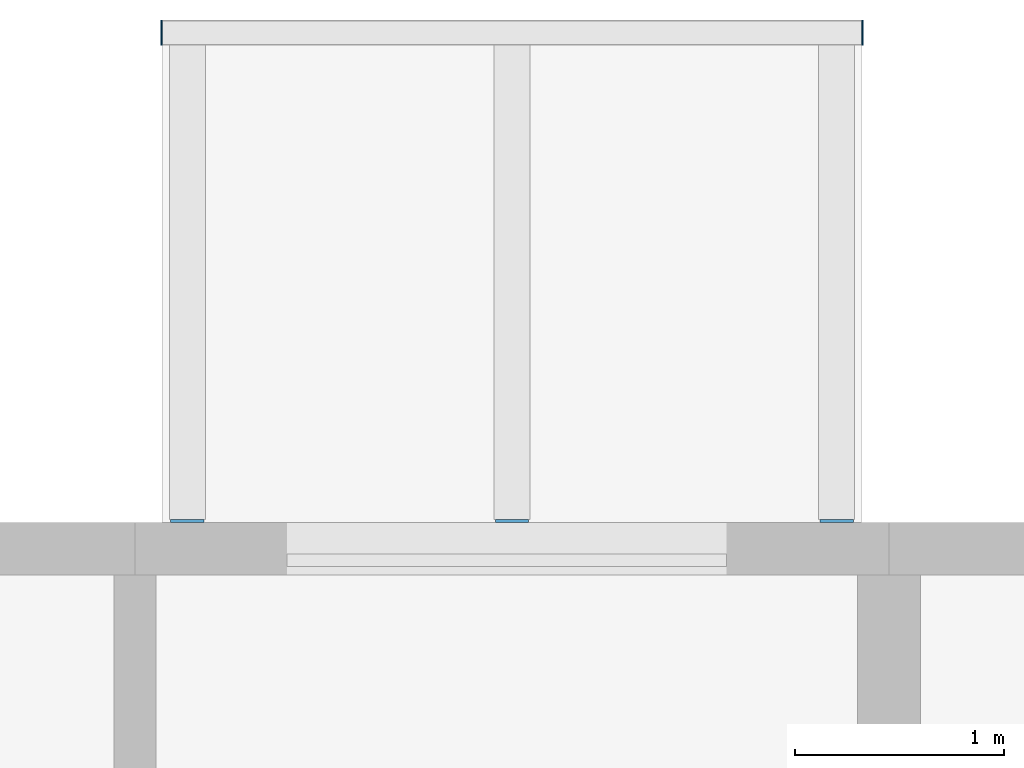
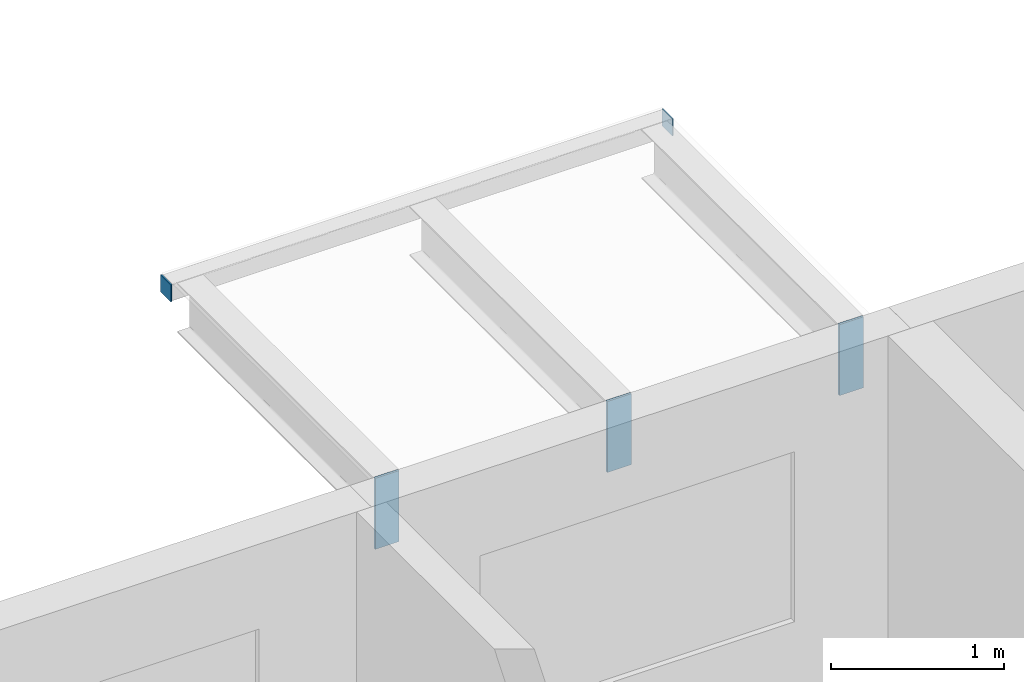
# One storey, part 67 of 100: 5 discrete accessories.
"""IFC4 building model written with IfcOpenShell, lengths in metres."""

from ifc_helpers import new_model, si_unit, direction, frame, origin, origin_2d, place, context, subcontext, project, spatial, rectangle, extrude, material, layer, layer_set, type_object, element, save


model = new_model("IFC4")

# Units and contexts
model_context = context("Model", 3, precision=1e-05, world=origin(), true_north=direction((0.0, 1.0)))
body_context = subcontext(model_context, "Body", "Model", "MODEL_VIEW")
ifc_project = project(units=[si_unit("LENGTHUNIT", "METRE"), si_unit("AREAUNIT", "SQUARE_METRE"), si_unit("VOLUMEUNIT", "CUBIC_METRE"), si_unit("PLANEANGLEUNIT", "RADIAN"), si_unit("MASSUNIT", "GRAM", prefix="KILO")], contexts=[model_context])

# Site, building, storey
site_placement = place(None, origin())
site = spatial("IfcSite", under=ifc_project, at=site_placement, CompositionType="ELEMENT")
building_placement = place(site_placement, origin())
building = spatial("IfcBuilding", under=site, at=building_placement, Name="Ridgestep Commons", CompositionType="ELEMENT")
storey_placement = place(building_placement, frame((0.0, 0.0, 9.0)))
storey = spatial("IfcBuildingStorey", under=building, at=storey_placement, Name="L03", CompositionType="ELEMENT", Elevation=9.0)

# Discrete accessories
ifc_material_1 = material(Name="Weathering steel S355J2W", Category="steel")
ifc_layer_1 = layer(ifc_material_1, 0.014892578125)
ifc_layer_set_1 = layer_set([ifc_layer_1], Name="Tray bracket plate 15")
discrete_accessory_type_1 = type_object("IfcDiscreteAccessoryType", Name="Tray bracket plate 15", PredefinedType="BRACKET", material=ifc_layer_set_1)
for number, where, z_axis, x_axis, name in (
    (1, (42.25, 77.257568359375, 2.488525390625), (0.0, 0.0, 1.0), (1.0, 0.0, 0.0), "Tray bracket B2T1-04.1"),
    (2, (43.800048828125, 77.257568359375, 2.488525390625), (0.0, 0.0, 1.0), (1.0, 0.0, 0.0), "Tray bracket B2T1-04.2"),
    (3, (45.35009765625, 77.257568359375, 2.488525390625), (0.0, 0.0, 1.0), (1.0, 0.0, 0.0), "Tray bracket B2T1-04.3"),
):
    element("IfcDiscreteAccessory", number, at=place(storey_placement, frame(where, z_axis=z_axis, x_axis=x_axis)), inside=storey, type_object=discrete_accessory_type_1, Name=name, PredefinedType="BRACKET", context=body_context, shape_type="SweptSolid", body=[
        extrude(rectangle(XDim=0.159912109375, YDim=0.014892578125, at=origin_2d()), origin(), (0.0, 0.0, 1.0), 0.50146484375),
    ])
ifc_material_2 = material(Name="Weathering steel S355J2W", Category="steel")
ifc_layer_2 = layer(ifc_material_2, 0.008056640625)
ifc_layer_set_2 = layer_set([ifc_layer_2], Name="Tray edge member end plate 120 x 120 x 8")
discrete_accessory_type_2 = type_object("IfcDiscreteAccessoryType", Name="Tray edge member end plate 120 x 120 x 8", PredefinedType="BRACKET", material=ifc_layer_set_2)
for number, where, z_axis, x_axis, name in (
    (4, (42.1259765625, 79.590087890625, 2.869873046875), (0.0, 0.0, 1.0), (1.0, 0.0, 0.0), "Tray edge member end plate B2T1-04 west"),
    (5, (45.47412109375, 79.590087890625, 2.869873046875), (0.0, 0.0, 1.0), (1.0, 0.0, 0.0), "Tray edge member end plate B2T1-04 east"),
):
    element("IfcDiscreteAccessory", number, at=place(storey_placement, frame(where, z_axis=z_axis, x_axis=x_axis)), inside=storey, type_object=discrete_accessory_type_2, Name=name, PredefinedType="BRACKET", context=body_context, shape_type="SweptSolid", body=[
        extrude(rectangle(XDim=0.008056640625, YDim=0.1201171875, at=origin_2d()), origin(), (0.0, 0.0, 1.0), 0.1201171875),
    ])

save(model, "model.ifc")
